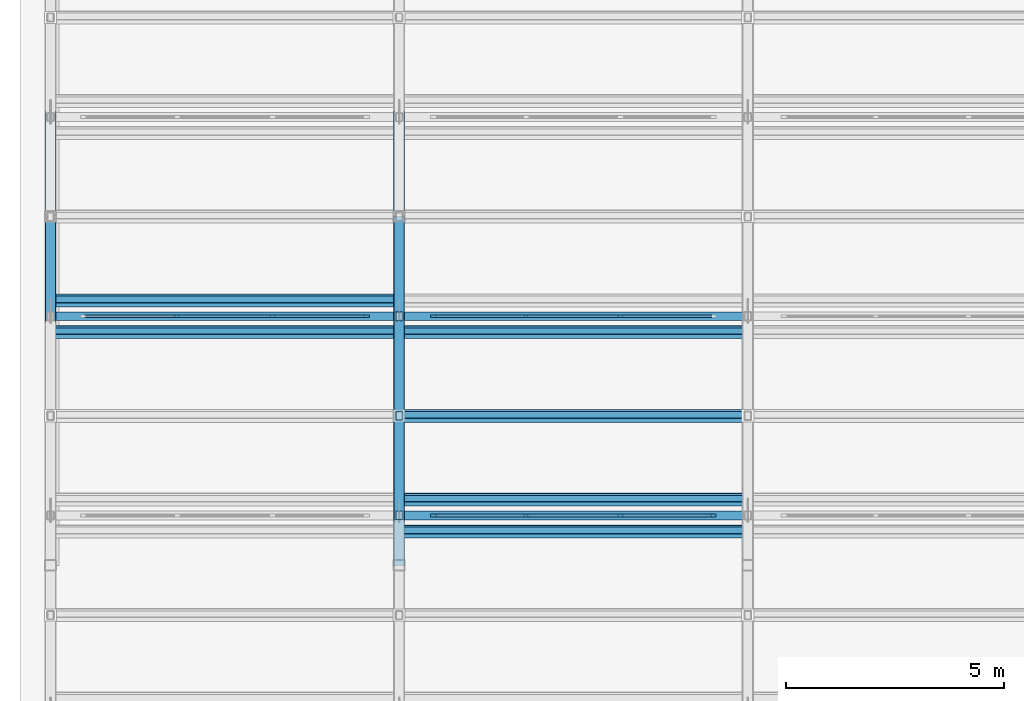
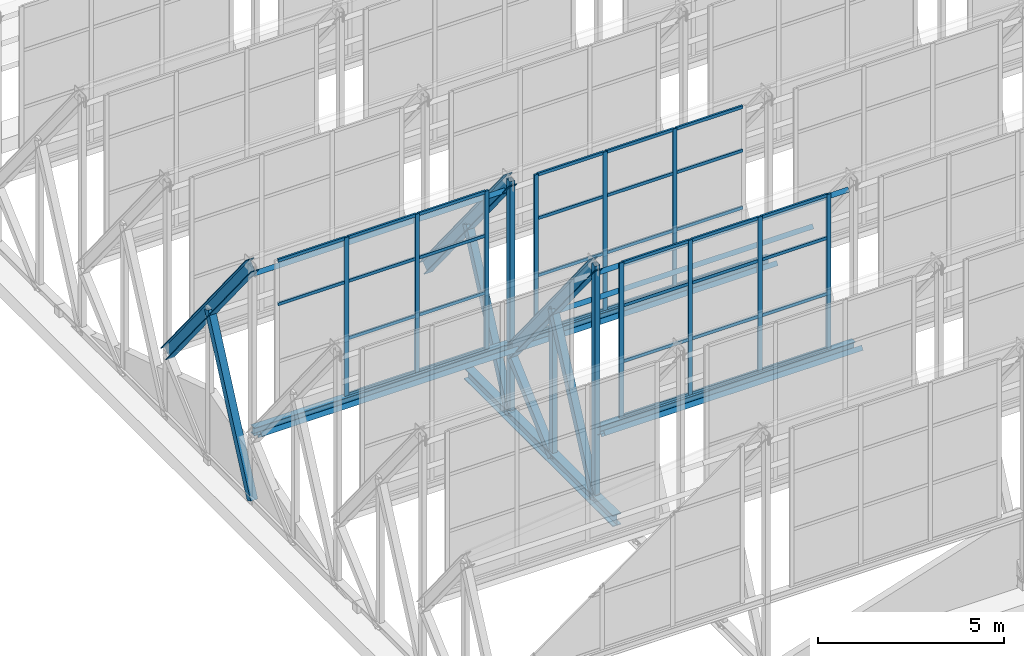
# One storey, part 8 of 34: 60 members, 4 beams, 3 elements without a shape of their own.
"""IFC4 building model written with IfcOpenShell, lengths in metres."""

from ifc_helpers import new_model, si_unit, direction, frame, origin, origin_2d, place, context, subcontext, project, spatial, rectangle, hollow_rectangle, i_section, extrude, material, layer, layer_set, material_profile, profile_set, type_object, element, aggregate, save


model = new_model("IFC4")

# Units and contexts
model_context = context("Model", 3, precision=1e-05, world=origin(), true_north=direction((0.0, 1.0)))
body_context = subcontext(model_context, "Body", "Model", "MODEL_VIEW")
ifc_project = project(units=[si_unit("LENGTHUNIT", "METRE"), si_unit("AREAUNIT", "SQUARE_METRE"), si_unit("VOLUMEUNIT", "CUBIC_METRE"), si_unit("PLANEANGLEUNIT", "RADIAN"), si_unit("MASSUNIT", "GRAM", prefix="KILO")], contexts=[model_context])

# Site, building, storey
site_placement = place(None, origin())
site = spatial("IfcSite", under=ifc_project, at=site_placement, CompositionType="ELEMENT")
building_placement = place(site_placement, origin())
building = spatial("IfcBuilding", under=site, at=building_placement, Name="Qorikala Patio Media Centre", CompositionType="ELEMENT")
storey_placement = place(building_placement, frame((0.0, 0.0, 32.699951171875)))
storey = spatial("IfcBuildingStorey", under=building, at=storey_placement, Name="RF", CompositionType="ELEMENT", Elevation=32.699951171875)

# Members
ifc_material_1 = material(Name="Steel S355", Category="steel")
ifc_material_profile_1 = material_profile(ifc_material_1, hollow_rectangle(XDim=0.219970703125, YDim=0.219970703125, WallThickness=0.010009765625, at=origin_2d()), Name="HSS220X220X10")
ifc_profile_set_1 = profile_set([ifc_material_profile_1], Name="Steel S355")
member_type_1 = type_object("IfcMemberType", Name="BRACE-HSS220", PredefinedType="BRACE", material=ifc_profile_set_1)
for number, where, z_axis, x_axis, name in (
    (1, (3.0, 16.71435546875, 0.35009765625), (0.0, 0.424508225487, 0.905424081022), (-1.0, 0.0, 0.0), "SAW-V1 Truss 1 Bay 4 Web Diagonal 1"),
    (2, (11.0, 12.142822265625, 0.35009765625), (0.0, 0.424545396895, 0.90540665227), (-1.0, 0.0, 0.0), "SAW-V1 Truss 2 Bay 3 Web Diagonal 1"),
):
    element("IfcMember", number, at=place(storey_placement, frame(where, z_axis=z_axis, x_axis=x_axis)), inside=storey, type_object=member_type_1, Name=name, PredefinedType="BRACE", context=body_context, shape_type="SweptSolid", body=[
        extrude(hollow_rectangle(XDim=0.219970703125, YDim=0.219970703125, WallThickness=0.010009765625, at=origin_2d()), origin(), (0.0, 0.0, 1.0), 5.38427734375),
    ])
member_1_placement = place(storey_placement, frame((11.0, 14.4287109375, 0.35009765625), z_axis=(0.0, 0.744431778243, 0.667698530432), x_axis=(-1.0, 0.0, 0.0)))
element("IfcMember", 3, at=member_1_placement, inside=storey, type_object=member_type_1, Name="SAW-V1 Truss 2 Bay 3 Web Diagonal 2", PredefinedType="BRACE", context=body_context, shape_type="SweptSolid", body=[
    extrude(hollow_rectangle(XDim=0.219970703125, YDim=0.219970703125, WallThickness=0.010009765625, at=origin_2d()), origin(), (0.0, 0.0, 1.0), 3.0703125),
])
member_2_placement = place(storey_placement, frame((11.0, 16.71435546875, 0.35009765625), z_axis=(0.0, 0.424508225487, 0.905424081022), x_axis=(-1.0, 0.0, 0.0)))
element("IfcMember", 4, at=member_2_placement, inside=storey, type_object=member_type_1, Name="SAW-V1 Truss 2 Bay 4 Web Diagonal 1", PredefinedType="BRACE", context=body_context, shape_type="SweptSolid", body=[
    extrude(hollow_rectangle(XDim=0.219970703125, YDim=0.219970703125, WallThickness=0.010009765625, at=origin_2d()), origin(), (0.0, 0.0, 1.0), 5.38427734375),
])
ifc_material_profile_2 = material_profile(ifc_material_1, i_section(OverallWidth=0.257080078125, OverallDepth=0.363037109375, WebThickness=0.012939453125, FlangeThickness=0.021728515625, at=origin_2d()), Name="W360X122")
ifc_profile_set_2 = profile_set([ifc_material_profile_2], Name="Steel S355")
member_type_2 = type_object("IfcMemberType", Name="CHORD-W360X122", PredefinedType="CHORD", material=ifc_profile_set_2)
member_3_placement = place(storey_placement, frame((3.0, 16.71435546875, 8.050048828125), z_axis=(0.0, 0.628995268707, -0.777409127773), x_axis=(-1.0, 0.0, 0.0)))
element("IfcMember", 5, at=member_3_placement, inside=storey, type_object=member_type_2, Name="SAW-V1 Truss 1 Bay 4 Sloped Top Chord", PredefinedType="CHORD", context=body_context, shape_type="SweptSolid", body=[
    extrude(i_section(OverallWidth=0.257080078125, OverallDepth=0.363037109375, WebThickness=0.012939453125, FlangeThickness=0.021728515625, at=origin_2d()), origin(), (0.0, 0.0, 1.0), 7.267578125),
])
member_4_placement = place(storey_placement, frame((11.0, 12.142822265625, 8.050048828125), z_axis=(0.0, 0.629015570493, -0.777392701327), x_axis=(-1.0, 0.0, 0.0)))
element("IfcMember", 6, at=member_4_placement, inside=storey, type_object=member_type_2, Name="SAW-V1 Truss 2 Bay 3 Sloped Top Chord", PredefinedType="CHORD", context=body_context, shape_type="SweptSolid", body=[
    extrude(i_section(OverallWidth=0.257080078125, OverallDepth=0.363037109375, WebThickness=0.012939453125, FlangeThickness=0.021728515625, at=origin_2d()), origin(), (0.0, 0.0, 1.0), 7.267822265625),
])
member_5_placement = place(storey_placement, frame((11.0, 16.71435546875, 8.050048828125), z_axis=(0.0, 0.628995268707, -0.777409127773), x_axis=(-1.0, 0.0, 0.0)))
element("IfcMember", 7, at=member_5_placement, inside=storey, type_object=member_type_2, Name="SAW-V1 Truss 2 Bay 4 Sloped Top Chord", PredefinedType="CHORD", context=body_context, shape_type="SweptSolid", body=[
    extrude(i_section(OverallWidth=0.257080078125, OverallDepth=0.363037109375, WebThickness=0.012939453125, FlangeThickness=0.021728515625, at=origin_2d()), origin(), (0.0, 0.0, 1.0), 7.267578125),
])

# Curtain wall, members
ifc_material_2 = material(Name="Bronze Anodised Aluminium and Low-E Glass", Category="aluminium")
ifc_layer_1 = layer(ifc_material_2, 0.159912109375)
ifc_layer_set_1 = layer_set([ifc_layer_1], Name="Bronze Anodised Aluminium and Low-E Glass")
curtain_wall_type_1 = type_object("IfcCurtainWallType", Name="CW-SAW-648X508", PredefinedType="USERDEFINED", material=ifc_layer_set_1)
curtain_wall_1_placement = place(storey_placement, origin())
curtain_wall_1 = element("IfcCurtainWall", 8, at=curtain_wall_1_placement, inside=storey, type_object=curtain_wall_type_1, Name="RF Sawtooth Glazing 118", ObjectType="SAWTOOTH GLAZING", PredefinedType="USERDEFINED")
ifc_material_3 = material(Name="Bronze Anodised Aluminium", Category="aluminium")
ifc_material_profile_3 = material_profile(ifc_material_3, rectangle(XDim=0.06005859375, YDim=0.1298828125, at=origin_2d()), Name="ALU MULLION 60x130")
ifc_profile_set_3 = profile_set([ifc_material_profile_3], Name="Bronze Anodised Aluminium")
member_type_3 = type_object("IfcMemberType", Name="CWM-60X130", PredefinedType="MULLION", material=ifc_profile_set_3)
member_6_placement = place(storey_placement, frame((11.7900390625, 12.142822265625, 2.75), z_axis=(0.0, 0.0, 1.0), x_axis=(0.0, 1.0, 0.0)))
member_6 = element("IfcMember", 9, at=member_6_placement, type_object=member_type_3, Name="CWS648508 mullion 1", PredefinedType="MULLION", context=body_context, shape_type="SweptSolid", body=[
    extrude(rectangle(XDim=0.06005859375, YDim=0.1298828125, at=origin_2d()), origin(), (0.0, 0.0, 1.0), 5.080078125),
])
member_7_placement = place(storey_placement, frame((13.919921875, 12.142822265625, 2.75), z_axis=(0.0, 0.0, 1.0), x_axis=(0.0, 1.0, 0.0)))
member_7 = element("IfcMember", 10, at=member_7_placement, type_object=member_type_3, Name="CWS648508 mullion 2", PredefinedType="MULLION", context=body_context, shape_type="SweptSolid", body=[
    extrude(rectangle(XDim=0.06005859375, YDim=0.1298828125, at=origin_2d()), origin(), (0.0, 0.0, 1.0), 5.080078125),
])
member_8_placement = place(storey_placement, frame((16.080078125, 12.142822265625, 2.75), z_axis=(0.0, 0.0, 1.0), x_axis=(0.0, 1.0, 0.0)))
member_8 = element("IfcMember", 11, at=member_8_placement, type_object=member_type_3, Name="CWS648508 mullion 3", PredefinedType="MULLION", context=body_context, shape_type="SweptSolid", body=[
    extrude(rectangle(XDim=0.06005859375, YDim=0.1298828125, at=origin_2d()), origin(), (0.0, 0.0, 1.0), 5.080078125),
])
member_9_placement = place(storey_placement, frame((18.2099609375, 12.142822265625, 2.75), z_axis=(0.0, 0.0, 1.0), x_axis=(0.0, 1.0, 0.0)))
member_9 = element("IfcMember", 12, at=member_9_placement, type_object=member_type_3, Name="CWS648508 mullion 4", PredefinedType="MULLION", context=body_context, shape_type="SweptSolid", body=[
    extrude(rectangle(XDim=0.06005859375, YDim=0.1298828125, at=origin_2d()), origin(), (0.0, 0.0, 1.0), 5.080078125),
])

ifc_layer_2 = layer(ifc_material_2, 0.159912109375)
ifc_layer_set_2 = layer_set([ifc_layer_2], Name="Bronze Anodised Aluminium and Low-E Glass")
curtain_wall_type_2 = type_object("IfcCurtainWallType", Name="CW-SAW-656X520", PredefinedType="USERDEFINED", material=ifc_layer_set_2)
curtain_wall_2_placement = place(storey_placement, origin())
curtain_wall_2 = element("IfcCurtainWall", 13, at=curtain_wall_2_placement, inside=storey, type_object=curtain_wall_type_2, Name="RF Sawtooth Glazing 122", ObjectType="SAWTOOTH GLAZING", PredefinedType="USERDEFINED")
member_10_placement = place(storey_placement, frame((5.90673828125, 16.71435546875, 2.75), z_axis=(0.0, 0.0, 1.0), x_axis=(0.0, 1.0, 0.0)))
member_10 = element("IfcMember", 14, at=member_10_placement, type_object=member_type_3, Name="CWS656520 mullion 2", PredefinedType="MULLION", context=body_context, shape_type="SweptSolid", body=[
    extrude(rectangle(XDim=0.06005859375, YDim=0.1298828125, at=origin_2d()), origin(), (0.0, 0.0, 1.0), 5.199951171875),
])
member_11_placement = place(storey_placement, frame((8.09326171875, 16.71435546875, 2.75), z_axis=(0.0, 0.0, 1.0), x_axis=(0.0, 1.0, 0.0)))
member_11 = element("IfcMember", 15, at=member_11_placement, type_object=member_type_3, Name="CWS656520 mullion 3", PredefinedType="MULLION", context=body_context, shape_type="SweptSolid", body=[
    extrude(rectangle(XDim=0.06005859375, YDim=0.1298828125, at=origin_2d()), origin(), (0.0, 0.0, 1.0), 5.199951171875),
])
member_12_placement = place(storey_placement, frame((10.25, 16.71435546875, 2.75), z_axis=(0.0, 0.0, 1.0), x_axis=(0.0, 1.0, 0.0)))
member_12 = element("IfcMember", 16, at=member_12_placement, type_object=member_type_3, Name="CWS656520 mullion 4", PredefinedType="MULLION", context=body_context, shape_type="SweptSolid", body=[
    extrude(rectangle(XDim=0.06005859375, YDim=0.1298828125, at=origin_2d()), origin(), (0.0, 0.0, 1.0), 5.199951171875),
])

ifc_layer_3 = layer(ifc_material_2, 0.159912109375)
ifc_layer_set_3 = layer_set([ifc_layer_3], Name="Bronze Anodised Aluminium and Low-E Glass")
curtain_wall_type_3 = type_object("IfcCurtainWallType", Name="CW-SAW-648X520", PredefinedType="USERDEFINED", material=ifc_layer_set_3)
curtain_wall_3_placement = place(storey_placement, origin())
curtain_wall_3 = element("IfcCurtainWall", 17, at=curtain_wall_3_placement, inside=storey, type_object=curtain_wall_type_3, Name="RF Sawtooth Glazing 123", ObjectType="SAWTOOTH GLAZING", PredefinedType="USERDEFINED")
member_13_placement = place(storey_placement, frame((11.7900390625, 16.71435546875, 2.75), z_axis=(0.0, 0.0, 1.0), x_axis=(0.0, 1.0, 0.0)))
member_13 = element("IfcMember", 18, at=member_13_placement, type_object=member_type_3, Name="CWS648520 mullion 1", PredefinedType="MULLION", context=body_context, shape_type="SweptSolid", body=[
    extrude(rectangle(XDim=0.06005859375, YDim=0.1298828125, at=origin_2d()), origin(), (0.0, 0.0, 1.0), 5.199951171875),
])
member_14_placement = place(storey_placement, frame((13.919921875, 16.71435546875, 2.75), z_axis=(0.0, 0.0, 1.0), x_axis=(0.0, 1.0, 0.0)))
member_14 = element("IfcMember", 19, at=member_14_placement, type_object=member_type_3, Name="CWS648520 mullion 2", PredefinedType="MULLION", context=body_context, shape_type="SweptSolid", body=[
    extrude(rectangle(XDim=0.06005859375, YDim=0.1298828125, at=origin_2d()), origin(), (0.0, 0.0, 1.0), 5.199951171875),
])
member_15_placement = place(storey_placement, frame((16.080078125, 16.71435546875, 2.75), z_axis=(0.0, 0.0, 1.0), x_axis=(0.0, 1.0, 0.0)))
member_15 = element("IfcMember", 20, at=member_15_placement, type_object=member_type_3, Name="CWS648520 mullion 3", PredefinedType="MULLION", context=body_context, shape_type="SweptSolid", body=[
    extrude(rectangle(XDim=0.06005859375, YDim=0.1298828125, at=origin_2d()), origin(), (0.0, 0.0, 1.0), 5.199951171875),
])

# Member
ifc_material_profile_4 = material_profile(ifc_material_3, rectangle(XDim=0.06005859375, YDim=0.10009765625, at=origin_2d()), Name="ALU TRANSOM 60x100")
ifc_profile_set_4 = profile_set([ifc_material_profile_4], Name="Bronze Anodised Aluminium")
member_type_4 = type_object("IfcMemberType", Name="CWT-60X100", PredefinedType="USERDEFINED", material=ifc_profile_set_4)
member_16_placement = place(storey_placement, frame((11.820068359375, 12.142822265625, 2.780029296875), z_axis=(1.0, 0.0, 0.0), x_axis=(0.0, 1.0, 0.0)))
member_16 = element("IfcMember", 21, at=member_16_placement, type_object=member_type_4, Name="CWS648508 transom 1.1", ObjectType="TRANSOM", PredefinedType="USERDEFINED", context=body_context, shape_type="SweptSolid", body=[
    extrude(rectangle(XDim=0.06005859375, YDim=0.10009765625, at=origin_2d()), origin(), (0.0, 0.0, 1.0), 2.06982421875),
])

member_17_placement = place(storey_placement, frame((11.820068359375, 12.142822265625, 4.578857421875), z_axis=(1.0, 0.0, 0.0), x_axis=(0.0, 1.0, 0.0)))
member_17 = element("IfcMember", 22, at=member_17_placement, type_object=member_type_4, Name="CWS648508 transom 1.2", ObjectType="TRANSOM", PredefinedType="USERDEFINED", context=body_context, shape_type="SweptSolid", body=[
    extrude(rectangle(XDim=0.06005859375, YDim=0.10009765625, at=origin_2d()), origin(), (0.0, 0.0, 1.0), 2.06982421875),
])

member_18_placement = place(storey_placement, frame((11.820068359375, 12.142822265625, 6.40771484375), z_axis=(1.0, 0.0, 0.0), x_axis=(0.0, 1.0, 0.0)))
member_18 = element("IfcMember", 23, at=member_18_placement, type_object=member_type_4, Name="CWS648508 transom 1.3", ObjectType="TRANSOM", PredefinedType="USERDEFINED", context=body_context, shape_type="SweptSolid", body=[
    extrude(rectangle(XDim=0.06005859375, YDim=0.10009765625, at=origin_2d()), origin(), (0.0, 0.0, 1.0), 2.06982421875),
])

member_19_placement = place(storey_placement, frame((11.820068359375, 12.142822265625, 7.800048828125), z_axis=(1.0, 0.0, 0.0), x_axis=(0.0, 1.0, 0.0)))
member_19 = element("IfcMember", 24, at=member_19_placement, type_object=member_type_4, Name="CWS648508 transom 1.4", ObjectType="TRANSOM", PredefinedType="USERDEFINED", context=body_context, shape_type="SweptSolid", body=[
    extrude(rectangle(XDim=0.06005859375, YDim=0.10009765625, at=origin_2d()), origin(), (0.0, 0.0, 1.0), 2.06982421875),
])

member_20_placement = place(storey_placement, frame((13.949951171875, 12.142822265625, 2.780029296875), z_axis=(1.0, 0.0, 0.0), x_axis=(0.0, 1.0, 0.0)))
member_20 = element("IfcMember", 25, at=member_20_placement, type_object=member_type_4, Name="CWS648508 transom 2.1", ObjectType="TRANSOM", PredefinedType="USERDEFINED", context=body_context, shape_type="SweptSolid", body=[
    extrude(rectangle(XDim=0.06005859375, YDim=0.10009765625, at=origin_2d()), origin(), (0.0, 0.0, 1.0), 2.10009765625),
])

member_21_placement = place(storey_placement, frame((13.949951171875, 12.142822265625, 4.578857421875), z_axis=(1.0, 0.0, 0.0), x_axis=(0.0, 1.0, 0.0)))
member_21 = element("IfcMember", 26, at=member_21_placement, type_object=member_type_4, Name="CWS648508 transom 2.2", ObjectType="TRANSOM", PredefinedType="USERDEFINED", context=body_context, shape_type="SweptSolid", body=[
    extrude(rectangle(XDim=0.06005859375, YDim=0.10009765625, at=origin_2d()), origin(), (0.0, 0.0, 1.0), 2.10009765625),
])

member_22_placement = place(storey_placement, frame((13.949951171875, 12.142822265625, 6.40771484375), z_axis=(1.0, 0.0, 0.0), x_axis=(0.0, 1.0, 0.0)))
member_22 = element("IfcMember", 27, at=member_22_placement, type_object=member_type_4, Name="CWS648508 transom 2.3", ObjectType="TRANSOM", PredefinedType="USERDEFINED", context=body_context, shape_type="SweptSolid", body=[
    extrude(rectangle(XDim=0.06005859375, YDim=0.10009765625, at=origin_2d()), origin(), (0.0, 0.0, 1.0), 2.10009765625),
])

member_23_placement = place(storey_placement, frame((13.949951171875, 12.142822265625, 7.800048828125), z_axis=(1.0, 0.0, 0.0), x_axis=(0.0, 1.0, 0.0)))
member_23 = element("IfcMember", 28, at=member_23_placement, type_object=member_type_4, Name="CWS648508 transom 2.4", ObjectType="TRANSOM", PredefinedType="USERDEFINED", context=body_context, shape_type="SweptSolid", body=[
    extrude(rectangle(XDim=0.06005859375, YDim=0.10009765625, at=origin_2d()), origin(), (0.0, 0.0, 1.0), 2.10009765625),
])

member_24_placement = place(storey_placement, frame((16.110107421875, 12.142822265625, 2.780029296875), z_axis=(1.0, 0.0, 0.0), x_axis=(0.0, 1.0, 0.0)))
member_24 = element("IfcMember", 29, at=member_24_placement, type_object=member_type_4, Name="CWS648508 transom 3.1", ObjectType="TRANSOM", PredefinedType="USERDEFINED", context=body_context, shape_type="SweptSolid", body=[
    extrude(rectangle(XDim=0.06005859375, YDim=0.10009765625, at=origin_2d()), origin(), (0.0, 0.0, 1.0), 2.06982421875),
])

member_25_placement = place(storey_placement, frame((16.110107421875, 12.142822265625, 4.578857421875), z_axis=(1.0, 0.0, 0.0), x_axis=(0.0, 1.0, 0.0)))
member_25 = element("IfcMember", 30, at=member_25_placement, type_object=member_type_4, Name="CWS648508 transom 3.2", ObjectType="TRANSOM", PredefinedType="USERDEFINED", context=body_context, shape_type="SweptSolid", body=[
    extrude(rectangle(XDim=0.06005859375, YDim=0.10009765625, at=origin_2d()), origin(), (0.0, 0.0, 1.0), 2.06982421875),
])

member_26_placement = place(storey_placement, frame((16.110107421875, 12.142822265625, 6.40771484375), z_axis=(1.0, 0.0, 0.0), x_axis=(0.0, 1.0, 0.0)))
member_26 = element("IfcMember", 31, at=member_26_placement, type_object=member_type_4, Name="CWS648508 transom 3.3", ObjectType="TRANSOM", PredefinedType="USERDEFINED", context=body_context, shape_type="SweptSolid", body=[
    extrude(rectangle(XDim=0.06005859375, YDim=0.10009765625, at=origin_2d()), origin(), (0.0, 0.0, 1.0), 2.06982421875),
])

member_27_placement = place(storey_placement, frame((16.110107421875, 12.142822265625, 7.800048828125), z_axis=(1.0, 0.0, 0.0), x_axis=(0.0, 1.0, 0.0)))
member_27 = element("IfcMember", 32, at=member_27_placement, type_object=member_type_4, Name="CWS648508 transom 3.4", ObjectType="TRANSOM", PredefinedType="USERDEFINED", context=body_context, shape_type="SweptSolid", body=[
    extrude(rectangle(XDim=0.06005859375, YDim=0.10009765625, at=origin_2d()), origin(), (0.0, 0.0, 1.0), 2.06982421875),
])

aggregate(curtain_wall_1, [member_6, member_7, member_8, member_9, member_16, member_17, member_18, member_19, member_20, member_21, member_22, member_23, member_24, member_25, member_26, member_27])

member_28_placement = place(storey_placement, frame((3.780029296875, 16.71435546875, 6.494140625), z_axis=(1.0, 0.0, 0.0), x_axis=(0.0, 1.0, 0.0)))
member_28 = element("IfcMember", 33, at=member_28_placement, type_object=member_type_4, Name="CWS656520 transom 1.3", ObjectType="TRANSOM", PredefinedType="USERDEFINED", context=body_context, shape_type="SweptSolid", body=[
    extrude(rectangle(XDim=0.06005859375, YDim=0.10009765625, at=origin_2d()), origin(), (0.0, 0.0, 1.0), 2.0966796875),
])

member_29_placement = place(storey_placement, frame((3.780029296875, 16.71435546875, 7.920166015625), z_axis=(1.0, 0.0, 0.0), x_axis=(0.0, 1.0, 0.0)))
member_29 = element("IfcMember", 34, at=member_29_placement, type_object=member_type_4, Name="CWS656520 transom 1.4", ObjectType="TRANSOM", PredefinedType="USERDEFINED", context=body_context, shape_type="SweptSolid", body=[
    extrude(rectangle(XDim=0.06005859375, YDim=0.10009765625, at=origin_2d()), origin(), (0.0, 0.0, 1.0), 2.0966796875),
])

member_30_placement = place(storey_placement, frame((5.936767578125, 16.71435546875, 2.780029296875), z_axis=(1.0, 0.0, 0.0), x_axis=(0.0, 1.0, 0.0)))
member_30 = element("IfcMember", 35, at=member_30_placement, type_object=member_type_4, Name="CWS656520 transom 2.1", ObjectType="TRANSOM", PredefinedType="USERDEFINED", context=body_context, shape_type="SweptSolid", body=[
    extrude(rectangle(XDim=0.06005859375, YDim=0.10009765625, at=origin_2d()), origin(), (0.0, 0.0, 1.0), 2.12646484375),
])

member_31_placement = place(storey_placement, frame((5.936767578125, 16.71435546875, 4.6220703125), z_axis=(1.0, 0.0, 0.0), x_axis=(0.0, 1.0, 0.0)))
member_31 = element("IfcMember", 36, at=member_31_placement, type_object=member_type_4, Name="CWS656520 transom 2.2", ObjectType="TRANSOM", PredefinedType="USERDEFINED", context=body_context, shape_type="SweptSolid", body=[
    extrude(rectangle(XDim=0.06005859375, YDim=0.10009765625, at=origin_2d()), origin(), (0.0, 0.0, 1.0), 2.12646484375),
])

member_32_placement = place(storey_placement, frame((5.936767578125, 16.71435546875, 6.494140625), z_axis=(1.0, 0.0, 0.0), x_axis=(0.0, 1.0, 0.0)))
member_32 = element("IfcMember", 37, at=member_32_placement, type_object=member_type_4, Name="CWS656520 transom 2.3", ObjectType="TRANSOM", PredefinedType="USERDEFINED", context=body_context, shape_type="SweptSolid", body=[
    extrude(rectangle(XDim=0.06005859375, YDim=0.10009765625, at=origin_2d()), origin(), (0.0, 0.0, 1.0), 2.12646484375),
])

member_33_placement = place(storey_placement, frame((5.936767578125, 16.71435546875, 7.920166015625), z_axis=(1.0, 0.0, 0.0), x_axis=(0.0, 1.0, 0.0)))
member_33 = element("IfcMember", 38, at=member_33_placement, type_object=member_type_4, Name="CWS656520 transom 2.4", ObjectType="TRANSOM", PredefinedType="USERDEFINED", context=body_context, shape_type="SweptSolid", body=[
    extrude(rectangle(XDim=0.06005859375, YDim=0.10009765625, at=origin_2d()), origin(), (0.0, 0.0, 1.0), 2.12646484375),
])

member_34_placement = place(storey_placement, frame((8.123291015625, 16.71435546875, 2.780029296875), z_axis=(1.0, 0.0, 0.0), x_axis=(0.0, 1.0, 0.0)))
member_34 = element("IfcMember", 39, at=member_34_placement, type_object=member_type_4, Name="CWS656520 transom 3.1", ObjectType="TRANSOM", PredefinedType="USERDEFINED", context=body_context, shape_type="SweptSolid", body=[
    extrude(rectangle(XDim=0.06005859375, YDim=0.10009765625, at=origin_2d()), origin(), (0.0, 0.0, 1.0), 2.0966796875),
])

member_35_placement = place(storey_placement, frame((8.123291015625, 16.71435546875, 4.6220703125), z_axis=(1.0, 0.0, 0.0), x_axis=(0.0, 1.0, 0.0)))
member_35 = element("IfcMember", 40, at=member_35_placement, type_object=member_type_4, Name="CWS656520 transom 3.2", ObjectType="TRANSOM", PredefinedType="USERDEFINED", context=body_context, shape_type="SweptSolid", body=[
    extrude(rectangle(XDim=0.06005859375, YDim=0.10009765625, at=origin_2d()), origin(), (0.0, 0.0, 1.0), 2.0966796875),
])

member_36_placement = place(storey_placement, frame((8.123291015625, 16.71435546875, 6.494140625), z_axis=(1.0, 0.0, 0.0), x_axis=(0.0, 1.0, 0.0)))
member_36 = element("IfcMember", 41, at=member_36_placement, type_object=member_type_4, Name="CWS656520 transom 3.3", ObjectType="TRANSOM", PredefinedType="USERDEFINED", context=body_context, shape_type="SweptSolid", body=[
    extrude(rectangle(XDim=0.06005859375, YDim=0.10009765625, at=origin_2d()), origin(), (0.0, 0.0, 1.0), 2.0966796875),
])

member_37_placement = place(storey_placement, frame((8.123291015625, 16.71435546875, 7.920166015625), z_axis=(1.0, 0.0, 0.0), x_axis=(0.0, 1.0, 0.0)))
member_37 = element("IfcMember", 42, at=member_37_placement, type_object=member_type_4, Name="CWS656520 transom 3.4", ObjectType="TRANSOM", PredefinedType="USERDEFINED", context=body_context, shape_type="SweptSolid", body=[
    extrude(rectangle(XDim=0.06005859375, YDim=0.10009765625, at=origin_2d()), origin(), (0.0, 0.0, 1.0), 2.0966796875),
])

aggregate(curtain_wall_2, [member_10, member_11, member_12, member_28, member_29, member_30, member_31, member_32, member_33, member_34, member_35, member_36, member_37])

member_38_placement = place(storey_placement, frame((11.820068359375, 16.71435546875, 2.780029296875), z_axis=(1.0, 0.0, 0.0), x_axis=(0.0, 1.0, 0.0)))
member_38 = element("IfcMember", 43, at=member_38_placement, type_object=member_type_4, Name="CWS648520 transom 1.1", ObjectType="TRANSOM", PredefinedType="USERDEFINED", context=body_context, shape_type="SweptSolid", body=[
    extrude(rectangle(XDim=0.06005859375, YDim=0.10009765625, at=origin_2d()), origin(), (0.0, 0.0, 1.0), 2.06982421875),
])

member_39_placement = place(storey_placement, frame((11.820068359375, 16.71435546875, 4.6220703125), z_axis=(1.0, 0.0, 0.0), x_axis=(0.0, 1.0, 0.0)))
member_39 = element("IfcMember", 44, at=member_39_placement, type_object=member_type_4, Name="CWS648520 transom 1.2", ObjectType="TRANSOM", PredefinedType="USERDEFINED", context=body_context, shape_type="SweptSolid", body=[
    extrude(rectangle(XDim=0.06005859375, YDim=0.10009765625, at=origin_2d()), origin(), (0.0, 0.0, 1.0), 2.06982421875),
])

member_40_placement = place(storey_placement, frame((11.820068359375, 16.71435546875, 6.494140625), z_axis=(1.0, 0.0, 0.0), x_axis=(0.0, 1.0, 0.0)))
member_40 = element("IfcMember", 45, at=member_40_placement, type_object=member_type_4, Name="CWS648520 transom 1.3", ObjectType="TRANSOM", PredefinedType="USERDEFINED", context=body_context, shape_type="SweptSolid", body=[
    extrude(rectangle(XDim=0.06005859375, YDim=0.10009765625, at=origin_2d()), origin(), (0.0, 0.0, 1.0), 2.06982421875),
])

member_41_placement = place(storey_placement, frame((11.820068359375, 16.71435546875, 7.920166015625), z_axis=(1.0, 0.0, 0.0), x_axis=(0.0, 1.0, 0.0)))
member_41 = element("IfcMember", 46, at=member_41_placement, type_object=member_type_4, Name="CWS648520 transom 1.4", ObjectType="TRANSOM", PredefinedType="USERDEFINED", context=body_context, shape_type="SweptSolid", body=[
    extrude(rectangle(XDim=0.06005859375, YDim=0.10009765625, at=origin_2d()), origin(), (0.0, 0.0, 1.0), 2.06982421875),
])

member_42_placement = place(storey_placement, frame((13.949951171875, 16.71435546875, 2.780029296875), z_axis=(1.0, 0.0, 0.0), x_axis=(0.0, 1.0, 0.0)))
member_42 = element("IfcMember", 47, at=member_42_placement, type_object=member_type_4, Name="CWS648520 transom 2.1", ObjectType="TRANSOM", PredefinedType="USERDEFINED", context=body_context, shape_type="SweptSolid", body=[
    extrude(rectangle(XDim=0.06005859375, YDim=0.10009765625, at=origin_2d()), origin(), (0.0, 0.0, 1.0), 2.10009765625),
])

member_43_placement = place(storey_placement, frame((13.949951171875, 16.71435546875, 4.6220703125), z_axis=(1.0, 0.0, 0.0), x_axis=(0.0, 1.0, 0.0)))
member_43 = element("IfcMember", 48, at=member_43_placement, type_object=member_type_4, Name="CWS648520 transom 2.2", ObjectType="TRANSOM", PredefinedType="USERDEFINED", context=body_context, shape_type="SweptSolid", body=[
    extrude(rectangle(XDim=0.06005859375, YDim=0.10009765625, at=origin_2d()), origin(), (0.0, 0.0, 1.0), 2.10009765625),
])

member_44_placement = place(storey_placement, frame((13.949951171875, 16.71435546875, 6.494140625), z_axis=(1.0, 0.0, 0.0), x_axis=(0.0, 1.0, 0.0)))
member_44 = element("IfcMember", 49, at=member_44_placement, type_object=member_type_4, Name="CWS648520 transom 2.3", ObjectType="TRANSOM", PredefinedType="USERDEFINED", context=body_context, shape_type="SweptSolid", body=[
    extrude(rectangle(XDim=0.06005859375, YDim=0.10009765625, at=origin_2d()), origin(), (0.0, 0.0, 1.0), 2.10009765625),
])

member_45_placement = place(storey_placement, frame((13.949951171875, 16.71435546875, 7.920166015625), z_axis=(1.0, 0.0, 0.0), x_axis=(0.0, 1.0, 0.0)))
member_45 = element("IfcMember", 50, at=member_45_placement, type_object=member_type_4, Name="CWS648520 transom 2.4", ObjectType="TRANSOM", PredefinedType="USERDEFINED", context=body_context, shape_type="SweptSolid", body=[
    extrude(rectangle(XDim=0.06005859375, YDim=0.10009765625, at=origin_2d()), origin(), (0.0, 0.0, 1.0), 2.10009765625),
])

member_46_placement = place(storey_placement, frame((16.110107421875, 16.71435546875, 2.780029296875), z_axis=(1.0, 0.0, 0.0), x_axis=(0.0, 1.0, 0.0)))
member_46 = element("IfcMember", 51, at=member_46_placement, type_object=member_type_4, Name="CWS648520 transom 3.1", ObjectType="TRANSOM", PredefinedType="USERDEFINED", context=body_context, shape_type="SweptSolid", body=[
    extrude(rectangle(XDim=0.06005859375, YDim=0.10009765625, at=origin_2d()), origin(), (0.0, 0.0, 1.0), 2.06982421875),
])

member_47_placement = place(storey_placement, frame((16.110107421875, 16.71435546875, 4.6220703125), z_axis=(1.0, 0.0, 0.0), x_axis=(0.0, 1.0, 0.0)))
member_47 = element("IfcMember", 52, at=member_47_placement, type_object=member_type_4, Name="CWS648520 transom 3.2", ObjectType="TRANSOM", PredefinedType="USERDEFINED", context=body_context, shape_type="SweptSolid", body=[
    extrude(rectangle(XDim=0.06005859375, YDim=0.10009765625, at=origin_2d()), origin(), (0.0, 0.0, 1.0), 2.06982421875),
])

member_48_placement = place(storey_placement, frame((16.110107421875, 16.71435546875, 6.494140625), z_axis=(1.0, 0.0, 0.0), x_axis=(0.0, 1.0, 0.0)))
member_48 = element("IfcMember", 53, at=member_48_placement, type_object=member_type_4, Name="CWS648520 transom 3.3", ObjectType="TRANSOM", PredefinedType="USERDEFINED", context=body_context, shape_type="SweptSolid", body=[
    extrude(rectangle(XDim=0.06005859375, YDim=0.10009765625, at=origin_2d()), origin(), (0.0, 0.0, 1.0), 2.06982421875),
])

member_49_placement = place(storey_placement, frame((16.110107421875, 16.71435546875, 7.920166015625), z_axis=(1.0, 0.0, 0.0), x_axis=(0.0, 1.0, 0.0)))
member_49 = element("IfcMember", 54, at=member_49_placement, type_object=member_type_4, Name="CWS648520 transom 3.4", ObjectType="TRANSOM", PredefinedType="USERDEFINED", context=body_context, shape_type="SweptSolid", body=[
    extrude(rectangle(XDim=0.06005859375, YDim=0.10009765625, at=origin_2d()), origin(), (0.0, 0.0, 1.0), 2.06982421875),
])

aggregate(curtain_wall_3, [member_13, member_14, member_15, member_38, member_39, member_40, member_41, member_42, member_43, member_44, member_45, member_46, member_47, member_48, member_49])

# Members
ifc_material_profile_5 = material_profile(ifc_material_1, i_section(OverallWidth=0.14794921875, OverallDepth=0.26611328125, WebThickness=0.007568359375, FlangeThickness=0.012939453125, at=origin_2d()), Name="W250X45")
ifc_profile_set_5 = profile_set([ifc_material_profile_5], Name="Steel S355")
member_type_5 = type_object("IfcMemberType", Name="PURLIN-W250X45", PredefinedType="PURLIN", material=ifc_profile_set_5)
for number, where, z_axis, x_axis, name in (
    (55, (11.0, 11.777099609375, 2.704345703125), (1.0, 0.0, 0.0), (0.0, 0.62899480571, 0.777409502379), "SAW-V1 Bay 2 Roof Purlin"),
    (56, (11.0, 12.508544921875, 7.450439453125), (1.0, 0.0, 0.0), (0.0, 0.62899480571, 0.777409502379), "SAW-V1 Bay 3 Roof Purlin"),
    (57, (11.0, 14.4287109375, 5.077392578125), (1.0, 0.0, 0.0), (0.0, 0.62899480571, 0.777409502379), "SAW-V1 Bay 3 Roof Purlin"),
    (58, (3.0, 16.3486328125, 2.704345703125), (1.0, 0.0, 0.0), (0.0, 0.62899480571, 0.777409502379), "SAW-V1 Bay 3 Roof Purlin"),
    (59, (11.0, 16.3486328125, 2.704345703125), (1.0, 0.0, 0.0), (0.0, 0.62899480571, 0.777409502379), "SAW-V1 Bay 3 Roof Purlin"),
    (60, (3.0, 17.080078125, 7.450439453125), (1.0, 0.0, 0.0), (0.0, 0.62899480571, 0.777409502379), "SAW-V1 Bay 4 Roof Purlin"),
):
    element("IfcMember", number, at=place(storey_placement, frame(where, z_axis=z_axis, x_axis=x_axis)), inside=storey, type_object=member_type_5, Name=name, PredefinedType="PURLIN", context=body_context, shape_type="SweptSolid", body=[
        extrude(i_section(OverallWidth=0.14794921875, OverallDepth=0.26611328125, WebThickness=0.007568359375, FlangeThickness=0.012939453125, at=origin_2d()), origin(), (0.0, 0.0, 1.0), 8.0),
    ])

# Beams
ifc_material_profile_6 = material_profile(ifc_material_1, i_section(OverallWidth=0.202880859375, OverallDepth=0.251953125, WebThickness=0.008056640625, FlangeThickness=0.013427734375, at=origin_2d()), Name="W250X58")
ifc_profile_set_6 = profile_set([ifc_material_profile_6], Name="Steel S355")
beam_type_1 = type_object("IfcBeamType", Name="SBM-W250X58", PredefinedType="BEAM", material=ifc_profile_set_6)
for number, where, z_axis, x_axis, name in (
    (61, (11.0, 12.142822265625, 2.625), (1.0, 0.0, 0.0), (0.0, 1.0, 0.0), "Sawtooth V1 Clerestory Sill Beam 3.2"),
    (62, (3.0, 16.71435546875, 2.625), (1.0, 0.0, 0.0), (0.0, 1.0, 0.0), "Sawtooth V1 Clerestory Sill Beam 4.1"),
    (63, (11.0, 16.71435546875, 2.625), (1.0, 0.0, 0.0), (0.0, 1.0, 0.0), "Sawtooth V1 Clerestory Sill Beam 4.2"),
):
    element("IfcBeam", number, at=place(storey_placement, frame(where, z_axis=z_axis, x_axis=x_axis)), inside=storey, type_object=beam_type_1, Name=name, PredefinedType="BEAM", context=body_context, shape_type="SweptSolid", body=[
        extrude(i_section(OverallWidth=0.202880859375, OverallDepth=0.251953125, WebThickness=0.008056640625, FlangeThickness=0.013427734375, at=origin_2d()), origin(), (0.0, 0.0, 1.0), 8.0),
    ])
ifc_material_profile_7 = material_profile(ifc_material_1, i_section(OverallWidth=0.257080078125, OverallDepth=0.363037109375, WebThickness=0.012939453125, FlangeThickness=0.021728515625, at=origin_2d()), Name="W360X122")
ifc_profile_set_7 = profile_set([ifc_material_profile_7], Name="Steel S355")
beam_type_2 = type_object("IfcBeamType", Name="SBM-W360X122", PredefinedType="BEAM", material=ifc_profile_set_7)
beam_placement = place(storey_placement, frame((11.0, 11.0, 0.35009765625), z_axis=(0.0, 1.0, 0.0), x_axis=(-1.0, 0.0, 0.0)))
element("IfcBeam", 64, at=beam_placement, inside=storey, type_object=beam_type_2, Name="SAW-V1 Longitudinal Truss Tie Girder X=11", PredefinedType="BEAM", context=body_context, shape_type="SweptSolid", body=[
    extrude(i_section(OverallWidth=0.257080078125, OverallDepth=0.363037109375, WebThickness=0.012939453125, FlangeThickness=0.021728515625, at=origin_2d()), origin(), (0.0, 0.0, 1.0), 8.0),
])

# Members
ifc_material_profile_8 = material_profile(ifc_material_1, hollow_rectangle(XDim=0.14990234375, YDim=0.199951171875, WallThickness=0.008056640625, at=origin_2d()), Name="HSS200X150X8")
ifc_profile_set_8 = profile_set([ifc_material_profile_8], Name="Steel S355")
member_type_6 = type_object("IfcMemberType", Name="STRUT-HSS200", PredefinedType="STRUT", material=ifc_profile_set_8)
member_50_placement = place(storey_placement, frame((11.0, 12.142822265625, 0.35009765625), z_axis=(0.0, 0.0, 1.0), x_axis=(1.0, 0.0, 0.0)))
element("IfcMember", 65, at=member_50_placement, inside=storey, type_object=member_type_6, Name="SAW-V1 Truss 2 Bay 3 Clerestory Post", PredefinedType="STRUT", context=body_context, shape_type="SweptSolid", body=[
    extrude(hollow_rectangle(XDim=0.14990234375, YDim=0.199951171875, WallThickness=0.008056640625, at=origin_2d()), origin(), (0.0, 0.0, 1.0), 7.699951171875),
])
member_51_placement = place(storey_placement, frame((11.0, 14.4287109375, 0.35009765625), z_axis=(0.0, 0.0, 1.0), x_axis=(1.0, 0.0, 0.0)))
element("IfcMember", 66, at=member_51_placement, inside=storey, type_object=member_type_6, Name="SAW-V1 Truss 2 Bay 3 Mid Strut", PredefinedType="STRUT", context=body_context, shape_type="SweptSolid", body=[
    extrude(hollow_rectangle(XDim=0.14990234375, YDim=0.199951171875, WallThickness=0.008056640625, at=origin_2d()), origin(), (0.0, 0.0, 1.0), 4.875),
])
member_52_placement = place(storey_placement, frame((11.0, 16.71435546875, 0.35009765625), z_axis=(0.0, 0.0, 1.0), x_axis=(1.0, 0.0, 0.0)))
element("IfcMember", 67, at=member_52_placement, inside=storey, type_object=member_type_6, Name="SAW-V1 Truss 2 Bay 4 Clerestory Post", PredefinedType="STRUT", context=body_context, shape_type="SweptSolid", body=[
    extrude(hollow_rectangle(XDim=0.14990234375, YDim=0.199951171875, WallThickness=0.008056640625, at=origin_2d()), origin(), (0.0, 0.0, 1.0), 7.699951171875),
])

save(model, "model.ifc")
